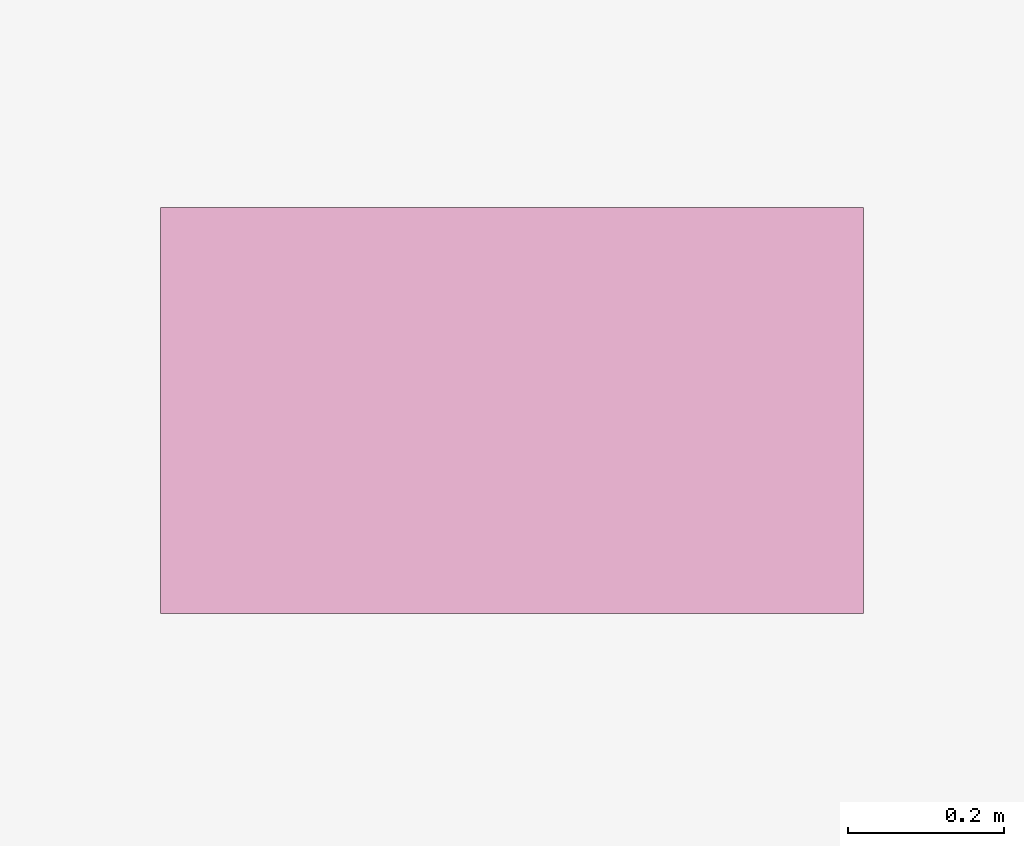
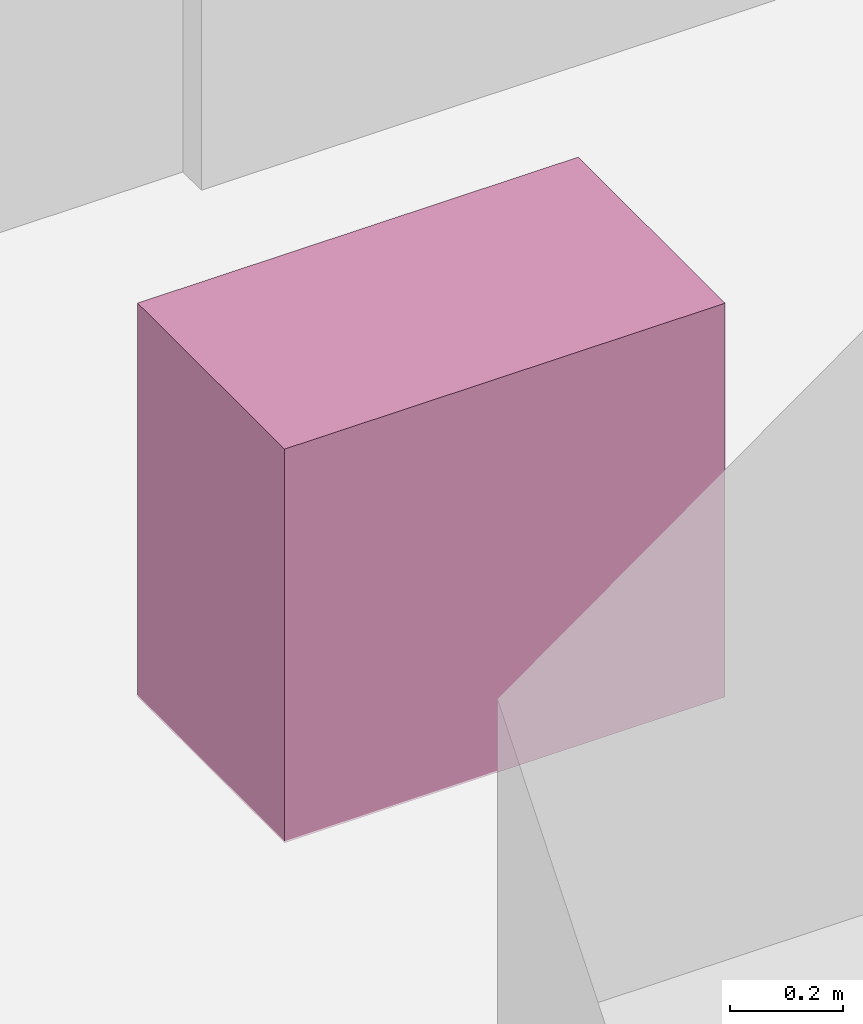
# One storey, part 33 of 33: 1 furnishing.
"""IFC4 building model written with IfcOpenShell, lengths in metres."""

from ifc_helpers import new_model, si_unit, direction, frame, origin, origin_2d, place, context, subcontext, project, spatial, rectangle, extrude, material, type_object, element, save


model = new_model("IFC4")

# Units and contexts
model_context = context("Model", 3, precision=1e-05, world=origin(), true_north=direction((0.0, 1.0)))
body_context = subcontext(model_context, "Body", "Model", "MODEL_VIEW")
ifc_project = project(units=[si_unit("LENGTHUNIT", "METRE"), si_unit("AREAUNIT", "SQUARE_METRE"), si_unit("VOLUMEUNIT", "CUBIC_METRE"), si_unit("PLANEANGLEUNIT", "RADIAN"), si_unit("MASSUNIT", "GRAM", prefix="KILO")], contexts=[model_context])

# Site, building, storey
site_placement = place(None, origin())
site = spatial("IfcSite", under=ifc_project, at=site_placement, CompositionType="ELEMENT")
building_placement = place(site_placement, origin())
building = spatial("IfcBuilding", under=site, at=building_placement, Name="Vorneva Point Tower", CompositionType="ELEMENT")
storey_placement = place(building_placement, frame((0.0, 0.0, 38.0)))
storey = spatial("IfcBuildingStorey", under=building, at=storey_placement, Name="L09", CompositionType="ELEMENT", Elevation=38.0)

# Furnishing
ifc_material = material(Name="Vitreous china and granite top", Category="masonry")
furniture_type = type_object("IfcFurnitureType", Name="FUR-VAN-900", AssemblyPlace="NOTDEFINED", PredefinedType="NOTDEFINED", material=ifc_material)
furnishing_placement = place(storey_placement, frame((35.425048828125, 32.1201171875, -0.005126953125), z_axis=(0.0, 0.0, 1.0), x_axis=(1.0, 0.0, 0.0)))
element("IfcFurnishingElement", 1, at=furnishing_placement, inside=storey, type_object=furniture_type, Name="L09 Accessible WC Vanity Unit", ObjectType="L09 Accessible WC Vanity Unit", context=body_context, shape_type="SweptSolid", body=[
    extrude(rectangle(XDim=0.89990234375, YDim=0.52001953125, at=origin_2d()), origin(), (0.0, 0.0, 1.0), 0.85009765625),
])

save(model, "model.ifc")
